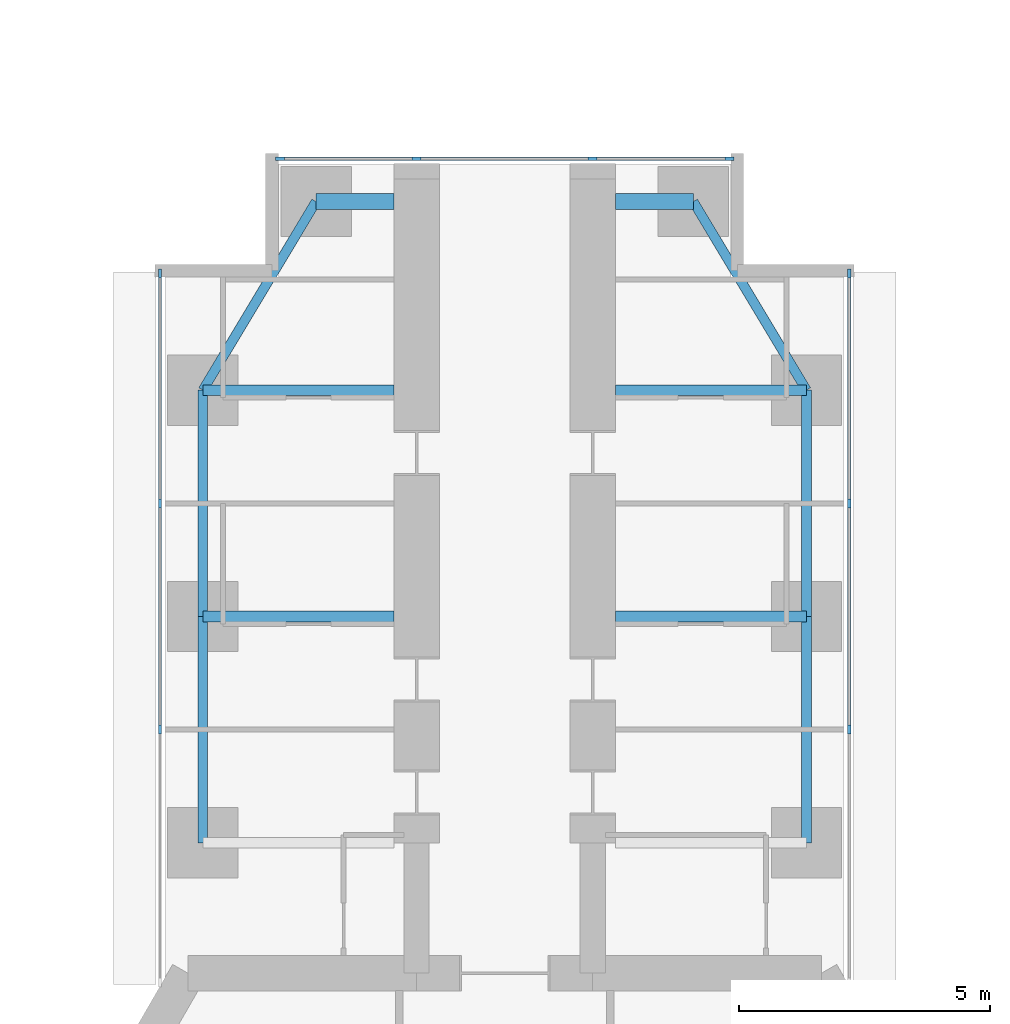
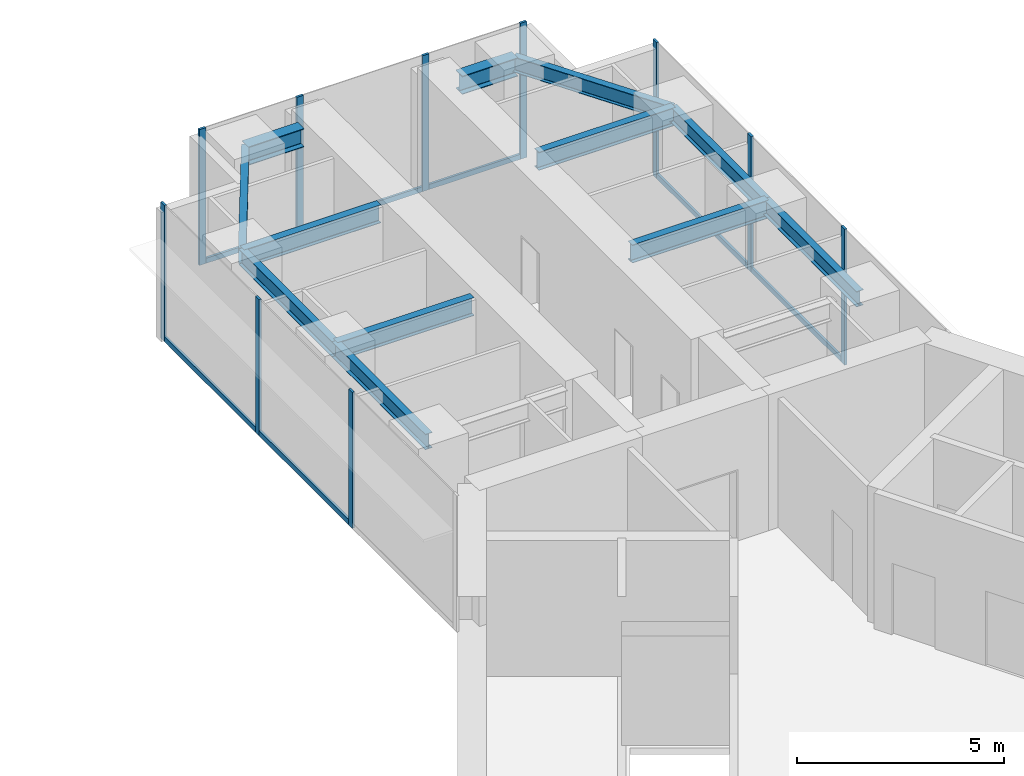
# One storey, part 13 of 25: 17 members, 12 beams, 3 elements without a shape of their own.
"""IFC4 building model written with IfcOpenShell, lengths in metres."""

from ifc_helpers import new_model, si_unit, direction, frame, origin, origin_2d, place, context, subcontext, project, spatial, rectangle, i_section, extrude, material, material_profile, profile_set, type_object, element, aggregate, save


model = new_model("IFC4")

# Units and contexts
model_context = context("Model", 3, precision=1e-05, world=origin(), true_north=direction((0.0, 1.0)))
body_context = subcontext(model_context, "Body", "Model", "MODEL_VIEW")
ifc_project = project(units=[si_unit("LENGTHUNIT", "METRE"), si_unit("AREAUNIT", "SQUARE_METRE"), si_unit("VOLUMEUNIT", "CUBIC_METRE"), si_unit("PLANEANGLEUNIT", "RADIAN"), si_unit("MASSUNIT", "GRAM", prefix="KILO")], contexts=[model_context])

# Site, building, storey
site_placement = place(None, origin())
site = spatial("IfcSite", under=ifc_project, at=site_placement, CompositionType="ELEMENT")
building_placement = place(site_placement, origin())
building = spatial("IfcBuilding", under=site, at=building_placement, Name="Upepo Twin Towers", CompositionType="ELEMENT")
storey_placement = place(building_placement, frame((0.0, 0.0, 84.5)))
storey = spatial("IfcBuildingStorey", under=building, at=storey_placement, Name="L20", CompositionType="ELEMENT", Elevation=84.5)

# Beams
ifc_material_1 = material(Name="Steel S355", Category="steel")
ifc_material_profile_1 = material_profile(ifc_material_1, i_section(OverallWidth=0.1904296875, OverallDepth=0.45703125, WebThickness=0.009033203125, FlangeThickness=0.014404296875, FilletRadius=0.01025390625, at=origin_2d()), Name="UB 457x191x74")
ifc_profile_set_1 = profile_set([ifc_material_profile_1], Name="Steel S355")
beam_type_1 = type_object("IfcBeamType", Name="Beam UB 457x191x74", PredefinedType="BEAM", material=ifc_profile_set_1)
for number, where, z_axis, x_axis, name in (
    (1, (52.5, -4.5, 3.571533203125), (0.0, 1.0, 0.0), (-1.0, 0.0, 0.0), "T2 edge beam AL 13.5-18.0"),
    (2, (52.5, 0.0, 3.571533203125), (0.0, 1.0, 0.0), (-1.0, 0.0, 0.0), "T2 edge beam AL 18.0-22.5"),
):
    element("IfcBeam", number, at=place(storey_placement, frame(where, z_axis=z_axis, x_axis=x_axis)), inside=storey, type_object=beam_type_1, Name=name, PredefinedType="BEAM", context=body_context, shape_type="SweptSolid", body=[
        extrude(i_section(OverallWidth=0.1904296875, OverallDepth=0.45703125, WebThickness=0.009033203125, FlangeThickness=0.014404296875, FilletRadius=0.01025390625, at=origin_2d()), origin(), (0.0, 0.0, 1.0), 4.5),
    ])
beam_1_placement = place(storey_placement, frame((52.5, 4.5, 3.571533203125), z_axis=(0.514495755428, 0.857492925713, 0.0), x_axis=(-0.857492925713, 0.514495755428, 0.0)))
element("IfcBeam", 3, at=beam_1_placement, inside=storey, type_object=beam_type_1, Name="T2 nose edge beam AL", PredefinedType="BEAM", context=body_context, shape_type="SweptSolid", body=[
    extrude(i_section(OverallWidth=0.1904296875, OverallDepth=0.45703125, WebThickness=0.009033203125, FlangeThickness=0.014404296875, FilletRadius=0.01025390625, at=origin_2d()), origin(), (0.0, 0.0, 1.0), 4.373291015625),
])
for number, where, z_axis, x_axis, name in (
    (4, (64.5, -4.5, 3.571533203125), (0.0, 1.0, 0.0), (-1.0, 0.0, 0.0), "T2 edge beam AR 13.5-18.0"),
    (5, (64.5, 0.0, 3.571533203125), (0.0, 1.0, 0.0), (-1.0, 0.0, 0.0), "T2 edge beam AR 18.0-22.5"),
):
    element("IfcBeam", number, at=place(storey_placement, frame(where, z_axis=z_axis, x_axis=x_axis)), inside=storey, type_object=beam_type_1, Name=name, PredefinedType="BEAM", context=body_context, shape_type="SweptSolid", body=[
        extrude(i_section(OverallWidth=0.1904296875, OverallDepth=0.45703125, WebThickness=0.009033203125, FlangeThickness=0.014404296875, FilletRadius=0.01025390625, at=origin_2d()), origin(), (0.0, 0.0, 1.0), 4.5),
    ])
beam_2_placement = place(storey_placement, frame((64.5, 4.5, 3.571533203125), z_axis=(-0.514495755428, 0.857492925713, 0.0), x_axis=(-0.857492925713, -0.514495755428, 0.0)))
element("IfcBeam", 6, at=beam_2_placement, inside=storey, type_object=beam_type_1, Name="T2 nose edge beam AR", PredefinedType="BEAM", context=body_context, shape_type="SweptSolid", body=[
    extrude(i_section(OverallWidth=0.1904296875, OverallDepth=0.45703125, WebThickness=0.009033203125, FlangeThickness=0.014404296875, FilletRadius=0.01025390625, at=origin_2d()), origin(), (0.0, 0.0, 1.0), 4.373291015625),
])
ifc_material_2 = material(Name="Steel S355", Category="steel")
ifc_material_profile_2 = material_profile(ifc_material_2, i_section(OverallWidth=0.209228515625, OverallDepth=0.533203125, WebThickness=0.010009765625, FlangeThickness=0.015625, FilletRadius=0.0126953125, at=origin_2d()), Name="UB 533x210x92")
ifc_profile_set_2 = profile_set([ifc_material_profile_2], Name="Steel S355")
beam_type_2 = type_object("IfcBeamType", Name="Beam UB 533x210x92", PredefinedType="BEAM", material=ifc_profile_set_2)
for number, where, z_axis, x_axis, name in (
    (7, (52.5, 0.0, 3.533447265625), (1.0, 0.0, 0.0), (0.0, 1.0, 0.0), "T2 girder AL at 18.0"),
    (8, (52.5, 4.5, 3.533447265625), (1.0, 0.0, 0.0), (0.0, 1.0, 0.0), "T2 girder AL at 22.5"),
    (9, (64.5, 0.0, 3.533447265625), (-1.0, 0.0, 0.0), (0.0, -1.0, 0.0), "T2 girder AR at 18.0"),
    (10, (64.5, 4.5, 3.533447265625), (-1.0, 0.0, 0.0), (0.0, -1.0, 0.0), "T2 girder AR at 22.5"),
):
    element("IfcBeam", number, at=place(storey_placement, frame(where, z_axis=z_axis, x_axis=x_axis)), inside=storey, type_object=beam_type_2, Name=name, PredefinedType="BEAM", context=body_context, shape_type="SweptSolid", body=[
        extrude(i_section(OverallWidth=0.209228515625, OverallDepth=0.533203125, WebThickness=0.010009765625, FlangeThickness=0.015625, FilletRadius=0.0126953125, at=origin_2d()), origin(), (0.0, 0.0, 1.0), 3.800048828125),
    ])
ifc_material_3 = material(Name="Steel S355", Category="steel")
ifc_material_profile_3 = material_profile(ifc_material_3, i_section(OverallWidth=0.31201171875, OverallDepth=0.54345703125, WebThickness=0.0126953125, FlangeThickness=0.020263671875, FilletRadius=0.0126953125, at=origin_2d()), Name="UB 533x312x150")
ifc_profile_set_3 = profile_set([ifc_material_profile_3], Name="Steel S355")
beam_type_3 = type_object("IfcBeamType", Name="Beam UB 533x312x150", PredefinedType="BEAM", material=ifc_profile_set_3)
for number, where, z_axis, x_axis, name in (
    (11, (54.75, 8.25, 3.5283203125), (1.0, 0.0, 0.0), (0.0, 1.0, 0.0), "T2 nose beam AL"),
    (12, (62.25, 8.25, 3.5283203125), (-1.0, 0.0, 0.0), (0.0, -1.0, 0.0), "T2 nose beam AR"),
):
    element("IfcBeam", number, at=place(storey_placement, frame(where, z_axis=z_axis, x_axis=x_axis)), inside=storey, type_object=beam_type_3, Name=name, PredefinedType="BEAM", context=body_context, shape_type="SweptSolid", body=[
        extrude(i_section(OverallWidth=0.31201171875, OverallDepth=0.54345703125, WebThickness=0.0126953125, FlangeThickness=0.020263671875, FilletRadius=0.0126953125, at=origin_2d()), origin(), (0.0, 0.0, 1.0), 1.550048828125),
    ])

# Curtain wall, members
ifc_material_4 = material(Name="Aluminium and fritted glass", Category="aluminium")
curtain_wall_type = type_object("IfcCurtainWallType", Name="Tower curtain wall TW1, fritted glass", PredefinedType="NOTDEFINED", material=ifc_material_4)
curtain_wall_1_placement = place(storey_placement, origin())
curtain_wall_1 = element("IfcCurtainWall", 13, at=curtain_wall_1_placement, inside=storey, type_object=curtain_wall_type, Name="T2 L20 wing A flank L curtain wall", PredefinedType="NOTDEFINED")
ifc_material_5 = material(Name="Aluminium mullion", Category="aluminium")
ifc_material_profile_4 = material_profile(ifc_material_5, rectangle(XDim=0.06494140625, YDim=0.179931640625, at=origin_2d()), Name="MULLION 65x180")
ifc_profile_set_4 = profile_set([ifc_material_profile_4], Name="Aluminium mullion")
member_type_1 = type_object("IfcMemberType", Name="Mullion 65x180 TW1", PredefinedType="MULLION", material=ifc_profile_set_4)
member_1_placement = place(storey_placement, frame((51.64990234375, -2.25, 0.0), z_axis=(0.0, 0.0, 1.0), x_axis=(-1.0, 0.0, 0.0)))
member_1 = element("IfcMember", 14, at=member_1_placement, type_object=member_type_1, Name="T2 L20 wing A flank L curtain wall mullion 2", PredefinedType="MULLION", context=body_context, shape_type="SweptSolid", body=[
    extrude(rectangle(XDim=0.06494140625, YDim=0.179931640625, at=origin_2d()), origin(), (0.0, 0.0, 1.0), 4.0),
])
member_2_placement = place(storey_placement, frame((51.64990234375, 2.25, 0.0), z_axis=(0.0, 0.0, 1.0), x_axis=(-1.0, 0.0, 0.0)))
member_2 = element("IfcMember", 15, at=member_2_placement, type_object=member_type_1, Name="T2 L20 wing A flank L curtain wall mullion 3", PredefinedType="MULLION", context=body_context, shape_type="SweptSolid", body=[
    extrude(rectangle(XDim=0.06494140625, YDim=0.179931640625, at=origin_2d()), origin(), (0.0, 0.0, 1.0), 4.0),
])
member_3_placement = place(storey_placement, frame((51.64990234375, 6.8173828125, 0.0), z_axis=(0.0, 0.0, 1.0), x_axis=(-1.0, 0.0, 0.0)))
member_3 = element("IfcMember", 16, at=member_3_placement, type_object=member_type_1, Name="T2 L20 wing A flank L curtain wall mullion 4", PredefinedType="MULLION", context=body_context, shape_type="SweptSolid", body=[
    extrude(rectangle(XDim=0.06494140625, YDim=0.179931640625, at=origin_2d()), origin(), (0.0, 0.0, 1.0), 4.0),
])

curtain_wall_2_placement = place(storey_placement, origin())
curtain_wall_2 = element("IfcCurtainWall", 17, at=curtain_wall_2_placement, inside=storey, type_object=curtain_wall_type, Name="T2 L20 wing A flank R curtain wall", PredefinedType="NOTDEFINED")
member_4_placement = place(storey_placement, frame((65.35009765625, 6.8173828125, 0.0), z_axis=(0.0, 0.0, 1.0), x_axis=(1.0, 0.0, 0.0)))
member_4 = element("IfcMember", 18, at=member_4_placement, type_object=member_type_1, Name="T2 L20 wing A flank R curtain wall mullion 1", PredefinedType="MULLION", context=body_context, shape_type="SweptSolid", body=[
    extrude(rectangle(XDim=0.06494140625, YDim=0.179931640625, at=origin_2d()), origin(), (0.0, 0.0, 1.0), 4.0),
])
member_5_placement = place(storey_placement, frame((65.35009765625, 2.25, 0.0), z_axis=(0.0, 0.0, 1.0), x_axis=(1.0, 0.0, 0.0)))
member_5 = element("IfcMember", 19, at=member_5_placement, type_object=member_type_1, Name="T2 L20 wing A flank R curtain wall mullion 2", PredefinedType="MULLION", context=body_context, shape_type="SweptSolid", body=[
    extrude(rectangle(XDim=0.06494140625, YDim=0.179931640625, at=origin_2d()), origin(), (0.0, 0.0, 1.0), 4.0),
])
member_6_placement = place(storey_placement, frame((65.35009765625, -2.25, 0.0), z_axis=(0.0, 0.0, 1.0), x_axis=(1.0, 0.0, 0.0)))
member_6 = element("IfcMember", 20, at=member_6_placement, type_object=member_type_1, Name="T2 L20 wing A flank R curtain wall mullion 3", PredefinedType="MULLION", context=body_context, shape_type="SweptSolid", body=[
    extrude(rectangle(XDim=0.06494140625, YDim=0.179931640625, at=origin_2d()), origin(), (0.0, 0.0, 1.0), 4.0),
])

curtain_wall_3_placement = place(storey_placement, origin())
curtain_wall_3 = element("IfcCurtainWall", 21, at=curtain_wall_3_placement, inside=storey, type_object=curtain_wall_type, Name="T2 L20 wing A nose curtain wall", PredefinedType="NOTDEFINED")
member_7_placement = place(storey_placement, frame((62.967529296875, 9.10009765625, 0.0), z_axis=(0.0, 0.0, 1.0), x_axis=(0.0, -1.0, 0.0)))
member_7 = element("IfcMember", 22, at=member_7_placement, type_object=member_type_1, Name="T2 L20 wing A nose curtain wall mullion 1", PredefinedType="MULLION", context=body_context, shape_type="SweptSolid", body=[
    extrude(rectangle(XDim=0.06494140625, YDim=0.179931640625, at=origin_2d()), origin(), (0.0, 0.0, 1.0), 4.0),
])
member_8_placement = place(storey_placement, frame((60.25, 9.10009765625, 0.0), z_axis=(0.0, 0.0, 1.0), x_axis=(0.0, -1.0, 0.0)))
member_8 = element("IfcMember", 23, at=member_8_placement, type_object=member_type_1, Name="T2 L20 wing A nose curtain wall mullion 2", PredefinedType="MULLION", context=body_context, shape_type="SweptSolid", body=[
    extrude(rectangle(XDim=0.06494140625, YDim=0.179931640625, at=origin_2d()), origin(), (0.0, 0.0, 1.0), 4.0),
])
member_9_placement = place(storey_placement, frame((56.75, 9.10009765625, 0.0), z_axis=(0.0, 0.0, 1.0), x_axis=(0.0, -1.0, 0.0)))
member_9 = element("IfcMember", 24, at=member_9_placement, type_object=member_type_1, Name="T2 L20 wing A nose curtain wall mullion 3", PredefinedType="MULLION", context=body_context, shape_type="SweptSolid", body=[
    extrude(rectangle(XDim=0.06494140625, YDim=0.179931640625, at=origin_2d()), origin(), (0.0, 0.0, 1.0), 4.0),
])
member_10_placement = place(storey_placement, frame((54.032470703125, 9.10009765625, 0.0), z_axis=(0.0, 0.0, 1.0), x_axis=(0.0, -1.0, 0.0)))
member_10 = element("IfcMember", 25, at=member_10_placement, type_object=member_type_1, Name="T2 L20 wing A nose curtain wall mullion 4", PredefinedType="MULLION", context=body_context, shape_type="SweptSolid", body=[
    extrude(rectangle(XDim=0.06494140625, YDim=0.179931640625, at=origin_2d()), origin(), (0.0, 0.0, 1.0), 4.0),
])

# Member
ifc_material_6 = material(Name="Aluminium transom", Category="aluminium")
ifc_material_profile_5 = material_profile(ifc_material_6, rectangle(XDim=0.06494140625, YDim=0.14990234375, at=origin_2d()), Name="TRANSOM 65x150")
ifc_profile_set_5 = profile_set([ifc_material_profile_5], Name="Aluminium transom")
member_type_2 = type_object("IfcMemberType", Name="Transom 65x150 TW1", PredefinedType="USERDEFINED", material=ifc_profile_set_5)
member_11_placement = place(storey_placement, frame((51.64990234375, -2.217529296875, 0.074951171875), z_axis=(0.0, 1.0, 0.0), x_axis=(-1.0, 0.0, 0.0)))
member_11 = element("IfcMember", 26, at=member_11_placement, type_object=member_type_2, Name="T2 L20 wing A flank L curtain wall transom 2", ObjectType="TRANSOM", PredefinedType="USERDEFINED", context=body_context, shape_type="SweptSolid", body=[
    extrude(rectangle(XDim=0.06494140625, YDim=0.14990234375, at=origin_2d()), origin(), (0.0, 0.0, 1.0), 4.43505859375),
])

member_12_placement = place(storey_placement, frame((51.64990234375, 2.282470703125, 0.074951171875), z_axis=(0.0, 1.0, 0.0), x_axis=(-1.0, 0.0, 0.0)))
member_12 = element("IfcMember", 27, at=member_12_placement, type_object=member_type_2, Name="T2 L20 wing A flank L curtain wall transom 3", ObjectType="TRANSOM", PredefinedType="USERDEFINED", context=body_context, shape_type="SweptSolid", body=[
    extrude(rectangle(XDim=0.06494140625, YDim=0.14990234375, at=origin_2d()), origin(), (0.0, 0.0, 1.0), 4.50244140625),
])

aggregate(curtain_wall_1, [member_1, member_2, member_3, member_11, member_12])

member_13_placement = place(storey_placement, frame((65.35009765625, 6.784912109375, 0.074951171875), z_axis=(0.0, -1.0, 0.0), x_axis=(1.0, 0.0, 0.0)))
member_13 = element("IfcMember", 28, at=member_13_placement, type_object=member_type_2, Name="T2 L20 wing A flank R curtain wall transom 1", ObjectType="TRANSOM", PredefinedType="USERDEFINED", context=body_context, shape_type="SweptSolid", body=[
    extrude(rectangle(XDim=0.06494140625, YDim=0.14990234375, at=origin_2d()), origin(), (0.0, 0.0, 1.0), 4.50244140625),
])

member_14_placement = place(storey_placement, frame((65.35009765625, 2.217529296875, 0.074951171875), z_axis=(0.0, -1.0, 0.0), x_axis=(1.0, 0.0, 0.0)))
member_14 = element("IfcMember", 29, at=member_14_placement, type_object=member_type_2, Name="T2 L20 wing A flank R curtain wall transom 2", ObjectType="TRANSOM", PredefinedType="USERDEFINED", context=body_context, shape_type="SweptSolid", body=[
    extrude(rectangle(XDim=0.06494140625, YDim=0.14990234375, at=origin_2d()), origin(), (0.0, 0.0, 1.0), 4.43505859375),
])

aggregate(curtain_wall_2, [member_4, member_5, member_6, member_13, member_14])

member_15_placement = place(storey_placement, frame((62.93505859375, 9.10009765625, 0.074951171875), z_axis=(-1.0, 0.0, 0.0), x_axis=(0.0, -1.0, 0.0)))
member_15 = element("IfcMember", 30, at=member_15_placement, type_object=member_type_2, Name="T2 L20 wing A nose curtain wall transom 1", ObjectType="TRANSOM", PredefinedType="USERDEFINED", context=body_context, shape_type="SweptSolid", body=[
    extrude(rectangle(XDim=0.06494140625, YDim=0.14990234375, at=origin_2d()), origin(), (0.0, 0.0, 1.0), 2.652587890625),
])

member_16_placement = place(storey_placement, frame((60.217529296875, 9.10009765625, 0.074951171875), z_axis=(-1.0, 0.0, 0.0), x_axis=(0.0, -1.0, 0.0)))
member_16 = element("IfcMember", 31, at=member_16_placement, type_object=member_type_2, Name="T2 L20 wing A nose curtain wall transom 2", ObjectType="TRANSOM", PredefinedType="USERDEFINED", context=body_context, shape_type="SweptSolid", body=[
    extrude(rectangle(XDim=0.06494140625, YDim=0.14990234375, at=origin_2d()), origin(), (0.0, 0.0, 1.0), 3.43505859375),
])

member_17_placement = place(storey_placement, frame((56.717529296875, 9.10009765625, 0.074951171875), z_axis=(-1.0, 0.0, 0.0), x_axis=(0.0, -1.0, 0.0)))
member_17 = element("IfcMember", 32, at=member_17_placement, type_object=member_type_2, Name="T2 L20 wing A nose curtain wall transom 3", ObjectType="TRANSOM", PredefinedType="USERDEFINED", context=body_context, shape_type="SweptSolid", body=[
    extrude(rectangle(XDim=0.06494140625, YDim=0.14990234375, at=origin_2d()), origin(), (0.0, 0.0, 1.0), 2.652587890625),
])

aggregate(curtain_wall_3, [member_7, member_8, member_9, member_10, member_15, member_16, member_17])

save(model, "model.ifc")
